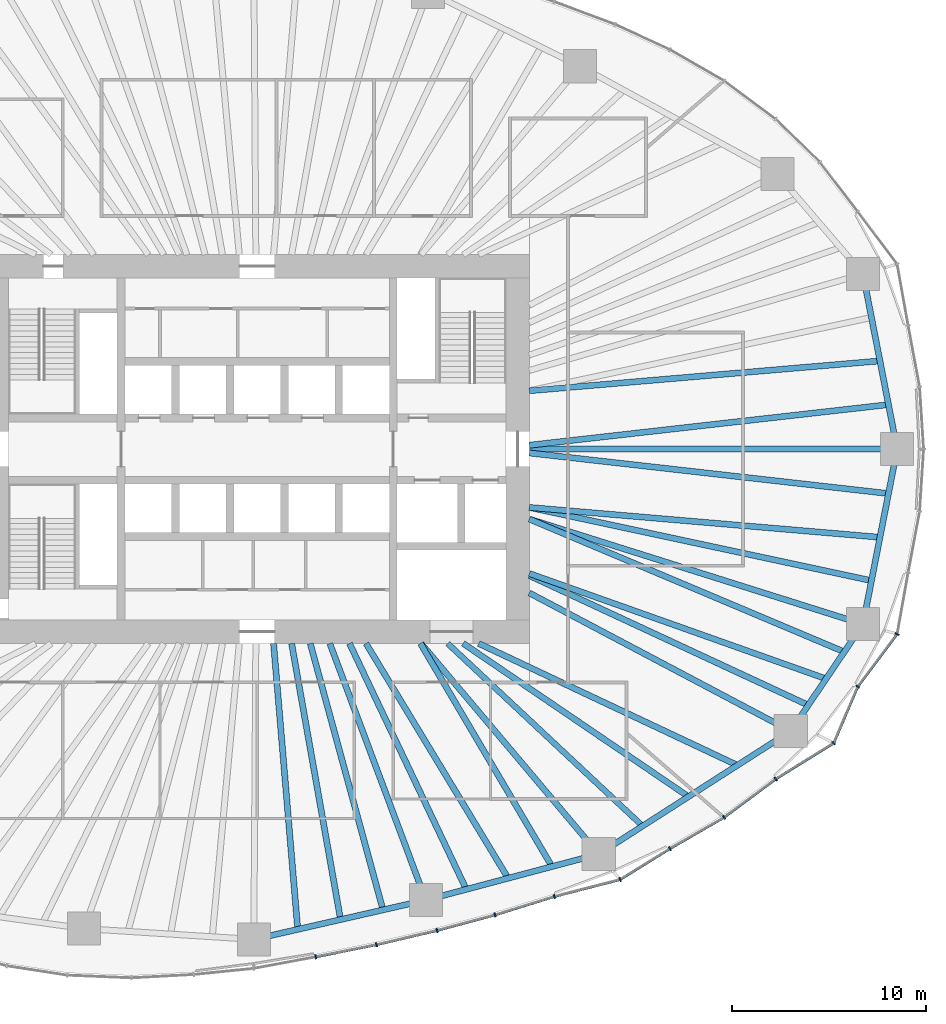
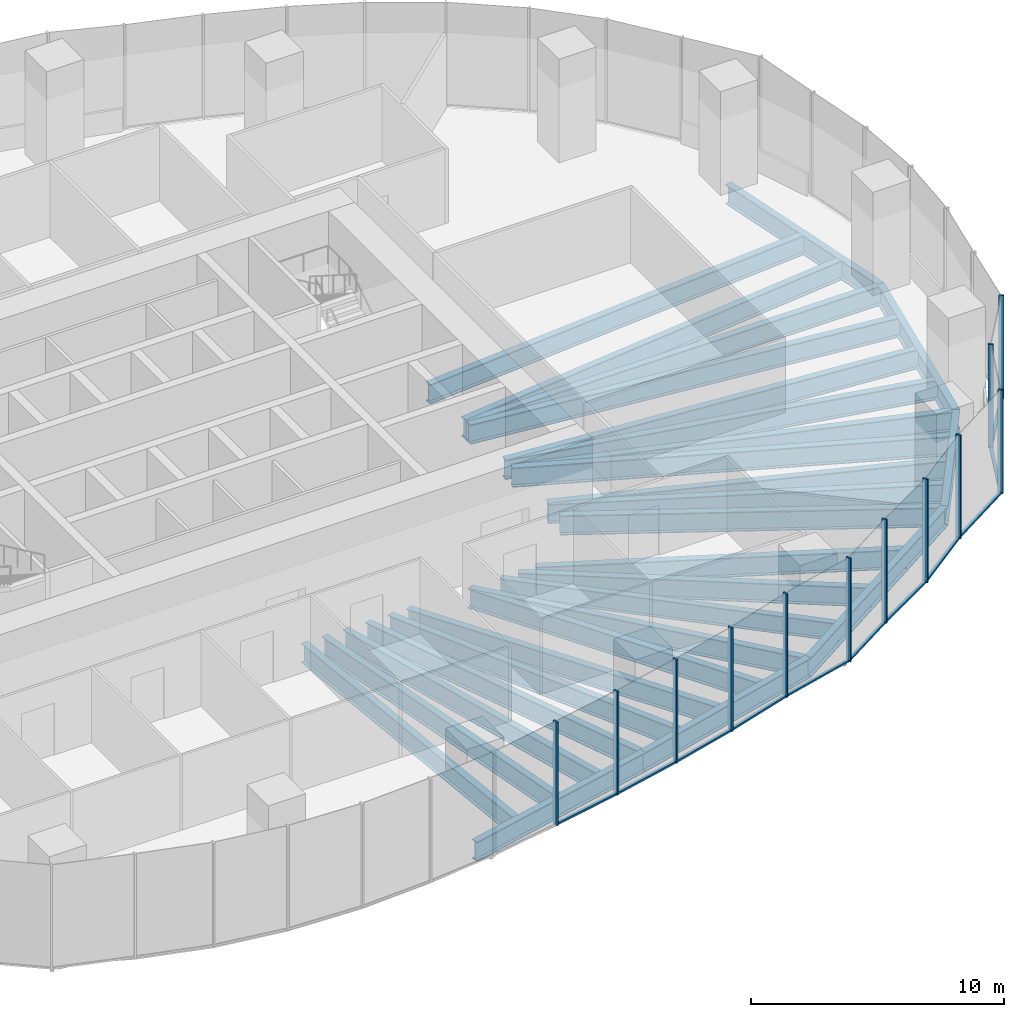
# One storey, part 4 of 20: 28 beams, 23 members, 5 elements without a shape of their own.
"""IFC4 building model written with IfcOpenShell, lengths in metres."""

from ifc_helpers import new_model, si_unit, direction, frame, origin, origin_2d, place, context, subcontext, project, spatial, rectangle, i_section, extrude, material, material_profile, profile_set, type_object, element, aggregate, save


model = new_model("IFC4")

# Units and contexts
model_context = context("Model", 3, precision=1e-05, world=origin(), true_north=direction((0.0, 1.0)))
body_context = subcontext(model_context, "Body", "Model", "MODEL_VIEW")
ifc_project = project(units=[si_unit("LENGTHUNIT", "METRE"), si_unit("AREAUNIT", "SQUARE_METRE"), si_unit("VOLUMEUNIT", "CUBIC_METRE"), si_unit("PLANEANGLEUNIT", "RADIAN"), si_unit("MASSUNIT", "GRAM", prefix="KILO")], contexts=[model_context])

# Site, building, storey
site_placement = place(None, origin())
site = spatial("IfcSite", under=ifc_project, at=site_placement, CompositionType="ELEMENT")
building_placement = place(site_placement, origin())
building = spatial("IfcBuilding", under=site, at=building_placement, Name="Ghaith Harvest Tower", CompositionType="ELEMENT")
storey_placement = place(building_placement, frame((0.0, 0.0, 55.0)))
storey = spatial("IfcBuildingStorey", under=building, at=storey_placement, Name="L11", CompositionType="ELEMENT", Elevation=55.0)

# Curtain wall, members
ifc_material_1 = material(Name="Black anodised aluminium and fritted glass", Category="aluminium")
curtain_wall_type = type_object("IfcCurtainWallType", Name="CW-F CURTAIN WALL", PredefinedType="NOTDEFINED", material=ifc_material_1)
curtain_wall_1_placement = place(storey_placement, origin())
curtain_wall_1 = element("IfcCurtainWall", 1, at=curtain_wall_1_placement, inside=storey, type_object=curtain_wall_type, Name="Curtain wall CW-F bay 16 L11", PredefinedType="NOTDEFINED")
ifc_material_2 = material(Name="Aluminium, black anodised", Category="aluminium")
ifc_material_profile_1 = material_profile(ifc_material_2, rectangle(XDim=0.080078125, YDim=0.219970703125, at=origin_2d()), Name="CW-F MULLION 80x220")
ifc_profile_set_1 = profile_set([ifc_material_profile_1], Name="Aluminium, black anodised")
member_type_1 = type_object("IfcMemberType", Name="CW-F MULLION 80x220", PredefinedType="MULLION", material=ifc_profile_set_1)
member_1_placement = place(storey_placement, frame((3.00927734375, -26.123291015625, 0.0), z_axis=(0.0, 0.0, 1.0), x_axis=(0.981818445714, 0.189822389762, 0.0)))
member_1 = element("IfcMember", 2, at=member_1_placement, type_object=member_type_1, Name="CW-F mullion 2 bay 16 L11", PredefinedType="MULLION", context=body_context, shape_type="SweptSolid", body=[
    extrude(rectangle(XDim=0.080078125, YDim=0.219970703125, at=origin_2d()), origin(), (0.0, 0.0, 1.0), 5.0),
])
member_2_placement = place(storey_placement, frame((6.136962890625, -25.495361328125, 0.0), z_axis=(0.0, 0.0, 1.0), x_axis=(0.977117973572, 0.212698062336, 0.0)))
member_2 = element("IfcMember", 3, at=member_2_placement, type_object=member_type_1, Name="CW-F mullion 3 bay 16 L11", PredefinedType="MULLION", context=body_context, shape_type="SweptSolid", body=[
    extrude(rectangle(XDim=0.080078125, YDim=0.219970703125, at=origin_2d()), origin(), (0.0, 0.0, 1.0), 5.0),
])

curtain_wall_2_placement = place(storey_placement, origin())
curtain_wall_2 = element("IfcCurtainWall", 4, at=curtain_wall_2_placement, inside=storey, type_object=curtain_wall_type, Name="Curtain wall CW-F bay 17 L11", PredefinedType="NOTDEFINED")
member_3_placement = place(storey_placement, frame((9.25732421875, -24.76318359375, 0.0), z_axis=(0.0, 0.0, 1.0), x_axis=(0.969903429248, 0.24348991341, 0.0)))
member_3 = element("IfcMember", 5, at=member_3_placement, type_object=member_type_1, Name="CW-F mullion 1 bay 17 L11", PredefinedType="MULLION", context=body_context, shape_type="SweptSolid", body=[
    extrude(rectangle(XDim=0.080078125, YDim=0.219970703125, at=origin_2d()), origin(), (0.0, 0.0, 1.0), 5.0),
])
member_4_placement = place(storey_placement, frame((12.234375, -23.964599609375, 0.0), z_axis=(0.0, 0.0, 1.0), x_axis=(0.960502189734, 0.278272426799, 0.0)))
member_4 = element("IfcMember", 6, at=member_4_placement, type_object=member_type_1, Name="CW-F mullion 2 bay 17 L11", PredefinedType="MULLION", context=body_context, shape_type="SweptSolid", body=[
    extrude(rectangle(XDim=0.080078125, YDim=0.219970703125, at=origin_2d()), origin(), (0.0, 0.0, 1.0), 5.0),
])
member_5_placement = place(storey_placement, frame((15.28759765625, -23.01611328125, 0.0), z_axis=(0.0, 0.0, 1.0), x_axis=(0.962313144018, 0.27194376781, 0.0)))
member_5 = element("IfcMember", 7, at=member_5_placement, type_object=member_type_1, Name="CW-F mullion 3 bay 17 L11", PredefinedType="MULLION", context=body_context, shape_type="SweptSolid", body=[
    extrude(rectangle(XDim=0.080078125, YDim=0.219970703125, at=origin_2d()), origin(), (0.0, 0.0, 1.0), 5.0),
])

curtain_wall_3_placement = place(storey_placement, origin())
curtain_wall_3 = element("IfcCurtainWall", 8, at=curtain_wall_3_placement, inside=storey, type_object=curtain_wall_type, Name="Curtain wall CW-F bay 18 L11", PredefinedType="NOTDEFINED")
member_6_placement = place(storey_placement, frame((18.674072265625, -22.144775390625, 0.0), z_axis=(0.0, 0.0, 1.0), x_axis=(0.923910199299, 0.382609387799, 0.0)))
member_6 = element("IfcMember", 9, at=member_6_placement, type_object=member_type_1, Name="CW-F mullion 1 bay 18 L11", PredefinedType="MULLION", context=body_context, shape_type="SweptSolid", body=[
    extrude(rectangle(XDim=0.080078125, YDim=0.219970703125, at=origin_2d()), origin(), (0.0, 0.0, 1.0), 5.0),
])
member_7_placement = place(storey_placement, frame((21.2353515625, -20.552978515625, 0.0), z_axis=(0.0, 0.0, 1.0), x_axis=(0.858140414942, 0.513415064293, 0.0)))
member_7 = element("IfcMember", 10, at=member_7_placement, type_object=member_type_1, Name="CW-F mullion 2 bay 18 L11", PredefinedType="MULLION", context=body_context, shape_type="SweptSolid", body=[
    extrude(rectangle(XDim=0.080078125, YDim=0.219970703125, at=origin_2d()), origin(), (0.0, 0.0, 1.0), 5.0),
])
member_8_placement = place(storey_placement, frame((24.018310546875, -18.947265625, 0.0), z_axis=(0.0, 0.0, 1.0), x_axis=(0.835443516838, 0.549576318788, 0.0)))
member_8 = element("IfcMember", 11, at=member_8_placement, type_object=member_type_1, Name="CW-F mullion 3 bay 18 L11", PredefinedType="MULLION", context=body_context, shape_type="SweptSolid", body=[
    extrude(rectangle(XDim=0.080078125, YDim=0.219970703125, at=origin_2d()), origin(), (0.0, 0.0, 1.0), 5.0),
])

curtain_wall_4_placement = place(storey_placement, origin())
curtain_wall_4 = element("IfcCurtainWall", 12, at=curtain_wall_4_placement, inside=storey, type_object=curtain_wall_type, Name="Curtain wall CW-F bay 19 L11", PredefinedType="NOTDEFINED")
member_9_placement = place(storey_placement, frame((26.673828125, -16.9755859375, 0.0), z_axis=(0.0, 0.0, 1.0), x_axis=(0.828002038115, 0.560725088504, 0.0)))
member_9 = element("IfcMember", 13, at=member_9_placement, type_object=member_type_1, Name="CW-F mullion 1 bay 19 L11", PredefinedType="MULLION", context=body_context, shape_type="SweptSolid", body=[
    extrude(rectangle(XDim=0.080078125, YDim=0.219970703125, at=origin_2d()), origin(), (0.0, 0.0, 1.0), 5.0),
])
member_10_placement = place(storey_placement, frame((29.659912109375, -15.126953125, 0.0), z_axis=(0.0, 0.0, 1.0), x_axis=(0.663604797505, 0.748083332743, 0.0)))
member_10 = element("IfcMember", 14, at=member_10_placement, type_object=member_type_1, Name="CW-F mullion 2 bay 19 L11", PredefinedType="MULLION", context=body_context, shape_type="SweptSolid", body=[
    extrude(rectangle(XDim=0.080078125, YDim=0.219970703125, at=origin_2d()), origin(), (0.0, 0.0, 1.0), 5.0),
])
member_11_placement = place(storey_placement, frame((30.896728515625, -12.215087890625, 0.0), z_axis=(0.0, 0.0, 1.0), x_axis=(0.5027946428, 0.864405892606, 0.0)))
member_11 = element("IfcMember", 15, at=member_11_placement, type_object=member_type_1, Name="CW-F mullion 3 bay 19 L11", PredefinedType="MULLION", context=body_context, shape_type="SweptSolid", body=[
    extrude(rectangle(XDim=0.080078125, YDim=0.219970703125, at=origin_2d()), origin(), (0.0, 0.0, 1.0), 5.0),
])

# Curtain wall, member
curtain_wall_5_placement = place(storey_placement, origin())
curtain_wall_5 = element("IfcCurtainWall", 16, at=curtain_wall_5_placement, inside=storey, type_object=curtain_wall_type, Name="Curtain wall CW-F bay 20 L11", PredefinedType="NOTDEFINED")
member_12_placement = place(storey_placement, frame((32.923583984375, -9.515625, 0.0), z_axis=(0.0, 0.0, 1.0), x_axis=(0.404701694001, 0.914448762301, 0.0)))
member_12 = element("IfcMember", 17, at=member_12_placement, type_object=member_type_1, Name="CW-F mullion 1 bay 20 L11", PredefinedType="MULLION", context=body_context, shape_type="SweptSolid", body=[
    extrude(rectangle(XDim=0.080078125, YDim=0.219970703125, at=origin_2d()), origin(), (0.0, 0.0, 1.0), 5.0),
])
aggregate(curtain_wall_5, [member_12])

# Member
ifc_material_3 = material(Name="Aluminium, black anodised", Category="aluminium")
ifc_material_profile_2 = material_profile(ifc_material_3, rectangle(XDim=0.139892578125, YDim=0.080078125, at=origin_2d()), Name="CW-F TRANSOM 140x80")
ifc_profile_set_2 = profile_set([ifc_material_profile_2], Name="Aluminium, black anodised")
member_type_2 = type_object("IfcMemberType", Name="CW-F TRANSOM 140x80", PredefinedType="USERDEFINED", material=ifc_profile_set_2)
member_13_placement = place(storey_placement, frame((3.04833984375, -26.115478515625, 0.0400390625), z_axis=(0.980432471193, 0.196855707129, 0.0), x_axis=(-0.196855707129, 0.980432471193, 0.0)))
member_13 = element("IfcMember", 18, at=member_13_placement, type_object=member_type_2, Name="CW-F transom 2 bay 16 L11", ObjectType="TRANSOM", PredefinedType="USERDEFINED", context=body_context, shape_type="SweptSolid", body=[
    extrude(rectangle(XDim=0.139892578125, YDim=0.080078125, at=origin_2d()), origin(), (0.0, 0.0, 1.0), 3.1103515625),
])

member_14_placement = place(storey_placement, frame((6.176025390625, -25.486083984375, 0.0400390625), z_axis=(0.973560415159, 0.228429678537, 0.0), x_axis=(-0.228429678537, 0.973560415159, 0.0)))
member_14 = element("IfcMember", 19, at=member_14_placement, type_object=member_type_2, Name="CW-F transom 3 bay 16 L11", ObjectType="TRANSOM", PredefinedType="USERDEFINED", context=body_context, shape_type="SweptSolid", body=[
    extrude(rectangle(XDim=0.139892578125, YDim=0.080078125, at=origin_2d()), origin(), (0.0, 0.0, 1.0), 3.125),
])

aggregate(curtain_wall_1, [member_1, member_13, member_2, member_14])

member_15_placement = place(storey_placement, frame((9.2958984375, -24.7529296875, 0.0400390625), z_axis=(0.965832908495, 0.259165570377, 0.0), x_axis=(-0.259165570377, 0.965832908495, 0.0)))
member_15 = element("IfcMember", 20, at=member_15_placement, type_object=member_type_2, Name="CW-F transom 1 bay 17 L11", ObjectType="TRANSOM", PredefinedType="USERDEFINED", context=body_context, shape_type="SweptSolid", body=[
    extrude(rectangle(XDim=0.139892578125, YDim=0.080078125, at=origin_2d()), origin(), (0.0, 0.0, 1.0), 3.002197265625),
])

member_16_placement = place(storey_placement, frame((12.2724609375, -23.95263671875, 0.0400390625), z_axis=(0.954998362353, 0.296611071781, 0.0), x_axis=(-0.296611071781, 0.954998362353, 0.0)))
member_16 = element("IfcMember", 21, at=member_16_placement, type_object=member_type_2, Name="CW-F transom 2 bay 17 L11", ObjectType="TRANSOM", PredefinedType="USERDEFINED", context=body_context, shape_type="SweptSolid", body=[
    extrude(rectangle(XDim=0.139892578125, YDim=0.080078125, at=origin_2d()), origin(), (0.0, 0.0, 1.0), 3.1171875),
])

member_17_placement = place(storey_placement, frame((15.326171875, -23.006103515625, 0.0400390625), z_axis=(0.968463874592, 0.249154015841, 0.0), x_axis=(-0.249154015841, 0.968463874592, 0.0)))
member_17 = element("IfcMember", 22, at=member_17_placement, type_object=member_type_2, Name="CW-F transom 3 bay 17 L11", ObjectType="TRANSOM", PredefinedType="USERDEFINED", context=body_context, shape_type="SweptSolid", body=[
    extrude(rectangle(XDim=0.139892578125, YDim=0.080078125, at=origin_2d()), origin(), (0.0, 0.0, 1.0), 3.416748046875),
])

aggregate(curtain_wall_2, [member_3, member_15, member_4, member_16, member_5, member_17])

member_18_placement = place(storey_placement, frame((18.7080078125, -22.12353515625, 0.0400390625), z_axis=(0.849383069026, 0.527776848726, 0.0), x_axis=(-0.527776848726, 0.849383069026, 0.0)))
member_18 = element("IfcMember", 23, at=member_18_placement, type_object=member_type_2, Name="CW-F transom 1 bay 18 L11", ObjectType="TRANSOM", PredefinedType="USERDEFINED", context=body_context, shape_type="SweptSolid", body=[
    extrude(rectangle(XDim=0.139892578125, YDim=0.080078125, at=origin_2d()), origin(), (0.0, 0.0, 1.0), 2.935546875),
])

member_19_placement = place(storey_placement, frame((21.27001953125, -20.532958984375, 0.0400390625), z_axis=(0.866168719914, 0.499751686983, 0.0), x_axis=(-0.499751686983, 0.866168719914, 0.0)))
member_19 = element("IfcMember", 24, at=member_19_placement, type_object=member_type_2, Name="CW-F transom 2 bay 18 L11", ObjectType="TRANSOM", PredefinedType="USERDEFINED", context=body_context, shape_type="SweptSolid", body=[
    extrude(rectangle(XDim=0.139892578125, YDim=0.080078125, at=origin_2d()), origin(), (0.0, 0.0, 1.0), 3.1328125),
])

member_20_placement = place(storey_placement, frame((24.050537109375, -18.92333984375, 0.0400390625), z_axis=(0.802877287823, 0.596144328748, 0.0), x_axis=(-0.596144328748, 0.802877287823, 0.0)))
member_20 = element("IfcMember", 25, at=member_20_placement, type_object=member_type_2, Name="CW-F transom 3 bay 18 L11", ObjectType="TRANSOM", PredefinedType="USERDEFINED", context=body_context, shape_type="SweptSolid", body=[
    extrude(rectangle(XDim=0.139892578125, YDim=0.080078125, at=origin_2d()), origin(), (0.0, 0.0, 1.0), 3.2275390625),
])

aggregate(curtain_wall_3, [member_6, member_18, member_7, member_19, member_8, member_20])

member_21_placement = place(storey_placement, frame((26.707763671875, -16.954345703125, 0.0400390625), z_axis=(0.850260598386, 0.526361961802, 0.0), x_axis=(-0.526361961802, 0.850260598386, 0.0)))
member_21 = element("IfcMember", 26, at=member_21_placement, type_object=member_type_2, Name="CW-F transom 1 bay 19 L11", ObjectType="TRANSOM", PredefinedType="USERDEFINED", context=body_context, shape_type="SweptSolid", body=[
    extrude(rectangle(XDim=0.139892578125, YDim=0.080078125, at=origin_2d()), origin(), (0.0, 0.0, 1.0), 3.431884765625),
])

member_22_placement = place(storey_placement, frame((29.675537109375, -15.090087890625, 0.0400390625), z_axis=(0.390936107494, 0.92041781809, 0.0), x_axis=(-0.92041781809, 0.390936107494, 0.0)))
member_22 = element("IfcMember", 27, at=member_22_placement, type_object=member_type_2, Name="CW-F transom 2 bay 19 L11", ObjectType="TRANSOM", PredefinedType="USERDEFINED", context=body_context, shape_type="SweptSolid", body=[
    extrude(rectangle(XDim=0.139892578125, YDim=0.080078125, at=origin_2d()), origin(), (0.0, 0.0, 1.0), 3.083740234375),
])

member_23_placement = place(storey_placement, frame((30.920654296875, -12.18310546875, 0.0400390625), z_axis=(0.600462135687, 0.799653189581, 0.0), x_axis=(-0.799653189581, 0.600462135687, 0.0)))
member_23 = element("IfcMember", 28, at=member_23_placement, type_object=member_type_2, Name="CW-F transom 3 bay 19 L11", ObjectType="TRANSOM", PredefinedType="USERDEFINED", context=body_context, shape_type="SweptSolid", body=[
    extrude(rectangle(XDim=0.139892578125, YDim=0.080078125, at=origin_2d()), origin(), (0.0, 0.0, 1.0), 3.2958984375),
])

aggregate(curtain_wall_4, [member_9, member_21, member_10, member_22, member_11, member_23])

# Beams
ifc_material_4 = material(Name="Steel ASTM A992 Grade 50", Category="steel")
ifc_material_profile_3 = material_profile(ifc_material_4, i_section(OverallWidth=0.306884765625, OverallDepth=0.94189453125, WebThickness=0.022216796875, FlangeThickness=0.039794921875, at=origin_2d()), Name="W920X345")
ifc_profile_set_3 = profile_set([ifc_material_profile_3], Name="Steel ASTM A992 Grade 50")
beam_type_1 = type_object("IfcBeamType", Name="E920-345 W920X345", PredefinedType="SPANDREL", material=ifc_profile_set_3)
beam_1_placement = place(storey_placement, frame((32.925048828125, 0.0, -0.6708984375), z_axis=(-0.191653479461, 0.981462655332, 0.0), x_axis=(-0.981462655332, -0.191653479461, 0.0)))
element("IfcBeam", 29, at=beam_1_placement, inside=storey, type_object=beam_type_1, Name="Edge beam E01 L11", PredefinedType="SPANDREL", context=body_context, shape_type="SweptSolid", body=[
    extrude(i_section(OverallWidth=0.306884765625, OverallDepth=0.94189453125, WebThickness=0.022216796875, FlangeThickness=0.039794921875, at=origin_2d()), origin(), (0.0, 0.0, 1.0), 9.17822265625),
])
beam_2_placement = place(storey_placement, frame((-0.173095703125, -25.22412109375, -0.6708984375), z_axis=(0.974881709383, 0.22272326486, 0.0), x_axis=(-0.22272326486, 0.974881709383, 0.0)))
element("IfcBeam", 30, at=beam_2_placement, inside=storey, type_object=beam_type_1, Name="Edge beam E16 L11", PredefinedType="SPANDREL", context=body_context, shape_type="SweptSolid", body=[
    extrude(i_section(OverallWidth=0.306884765625, OverallDepth=0.94189453125, WebThickness=0.022216796875, FlangeThickness=0.039794921875, at=origin_2d()), origin(), (0.0, 0.0, 1.0), 9.0751953125),
])
beam_3_placement = place(storey_placement, frame((8.674072265625, -23.202880859375, -0.6708984375), z_axis=(0.966419097109, 0.256971065963, 0.0), x_axis=(-0.256971065963, 0.966419097109, 0.0)))
element("IfcBeam", 31, at=beam_3_placement, inside=storey, type_object=beam_type_1, Name="Edge beam E17 L11", PredefinedType="SPANDREL", context=body_context, shape_type="SweptSolid", body=[
    extrude(i_section(OverallWidth=0.306884765625, OverallDepth=0.94189453125, WebThickness=0.022216796875, FlangeThickness=0.039794921875, at=origin_2d()), origin(), (0.0, 0.0, 1.0), 9.20703125),
])
beam_4_placement = place(storey_placement, frame((17.572021484375, -20.8369140625, -0.6708984375), z_axis=(0.842014649705, 0.539454659524, 0.0), x_axis=(-0.539454659524, 0.842014649705, 0.0)))
element("IfcBeam", 32, at=beam_4_placement, inside=storey, type_object=beam_type_1, Name="Edge beam E18 L11", PredefinedType="SPANDREL", context=body_context, shape_type="SweptSolid", body=[
    extrude(i_section(OverallWidth=0.306884765625, OverallDepth=0.94189453125, WebThickness=0.022216796875, FlangeThickness=0.039794921875, at=origin_2d()), origin(), (0.0, 0.0, 1.0), 11.730224609375),
])
beam_5_placement = place(storey_placement, frame((27.448974609375, -14.509033203125, -0.6708984375), z_axis=(0.559874470017, 0.828577442261, 0.0), x_axis=(-0.828577442261, 0.559874470017, 0.0)))
element("IfcBeam", 33, at=beam_5_placement, inside=storey, type_object=beam_type_1, Name="Edge beam E19 L11", PredefinedType="SPANDREL", context=body_context, shape_type="SweptSolid", body=[
    extrude(i_section(OverallWidth=0.306884765625, OverallDepth=0.94189453125, WebThickness=0.022216796875, FlangeThickness=0.039794921875, at=origin_2d()), origin(), (0.0, 0.0, 1.0), 6.63916015625),
])
beam_6_placement = place(storey_placement, frame((31.166015625, -9.008056640625, -0.6708984375), z_axis=(0.191653479461, 0.981462655332, 0.0), x_axis=(-0.981462655332, 0.191653479461, 0.0)))
element("IfcBeam", 34, at=beam_6_placement, inside=storey, type_object=beam_type_1, Name="Edge beam E20 L11", PredefinedType="SPANDREL", context=body_context, shape_type="SweptSolid", body=[
    extrude(i_section(OverallWidth=0.306884765625, OverallDepth=0.94189453125, WebThickness=0.022216796875, FlangeThickness=0.039794921875, at=origin_2d()), origin(), (0.0, 0.0, 1.0), 9.17822265625),
])
ifc_material_5 = material(Name="Steel ASTM A992 Grade 50", Category="steel")
ifc_material_profile_4 = material_profile(ifc_material_5, i_section(OverallWidth=0.306884765625, OverallDepth=0.94189453125, WebThickness=0.022216796875, FlangeThickness=0.039794921875, at=origin_2d()), Name="W920X345")
ifc_profile_set_4 = profile_set([ifc_material_profile_4], Name="Steel ASTM A992 Grade 50")
beam_type_2 = type_object("IfcBeamType", Name="G920-345 W920X345", PredefinedType="BEAM", material=ifc_profile_set_4)
beam_7_placement = place(storey_placement, frame((14.0, 0.0, -0.6708984375), z_axis=(1.0, 0.0, 0.0), x_axis=(0.0, 1.0, 0.0)))
element("IfcBeam", 35, at=beam_7_placement, inside=storey, type_object=beam_type_2, Name="Radial girder G01 L11", PredefinedType="BEAM", context=body_context, shape_type="SweptSolid", body=[
    extrude(i_section(OverallWidth=0.306884765625, OverallDepth=0.94189453125, WebThickness=0.022216796875, FlangeThickness=0.039794921875, at=origin_2d()), origin(), (0.0, 0.0, 1.0), 18.925048828125),
])
beam_8_placement = place(storey_placement, frame((3.73828125, -10.0, -0.6708984375), z_axis=(0.350172283717, -0.936685310932, 0.0), x_axis=(0.936685310932, 0.350172283717, 0.0)))
element("IfcBeam", 36, at=beam_8_placement, inside=storey, type_object=beam_type_2, Name="Radial girder G17 L11", PredefinedType="BEAM", context=body_context, shape_type="SweptSolid", body=[
    extrude(i_section(OverallWidth=0.306884765625, OverallDepth=0.94189453125, WebThickness=0.022216796875, FlangeThickness=0.039794921875, at=origin_2d()), origin(), (0.0, 0.0, 1.0), 14.09521484375),
])
beam_9_placement = place(storey_placement, frame((8.4326171875, -10.0, -0.6708984375), z_axis=(0.644696130938, -0.764438943771, 0.0), x_axis=(0.764438943771, 0.644696130938, 0.0)))
element("IfcBeam", 37, at=beam_9_placement, inside=storey, type_object=beam_type_2, Name="Radial girder G18 L11", PredefinedType="BEAM", context=body_context, shape_type="SweptSolid", body=[
    extrude(i_section(OverallWidth=0.306884765625, OverallDepth=0.94189453125, WebThickness=0.022216796875, FlangeThickness=0.039794921875, at=origin_2d()), origin(), (0.0, 0.0, 1.0), 14.17626953125),
])
beam_10_placement = place(storey_placement, frame((14.0, -7.39990234375, -0.6708984375), z_axis=(0.884084425997, -0.467327216959, 0.0), x_axis=(0.467327216959, 0.884084425997, 0.0)))
element("IfcBeam", 38, at=beam_10_placement, inside=storey, type_object=beam_type_2, Name="Radial girder G19 L11", PredefinedType="BEAM", context=body_context, shape_type="SweptSolid", body=[
    extrude(i_section(OverallWidth=0.306884765625, OverallDepth=0.94189453125, WebThickness=0.022216796875, FlangeThickness=0.039794921875, at=origin_2d()), origin(), (0.0, 0.0, 1.0), 15.21240234375),
])
beam_11_placement = place(storey_placement, frame((14.0, -3.60009765625, -0.6708984375), z_axis=(0.953788071692, -0.300480139607, 0.0), x_axis=(0.300480139607, 0.953788071692, 0.0)))
element("IfcBeam", 39, at=beam_11_placement, inside=storey, type_object=beam_type_2, Name="Radial girder G20 L11", PredefinedType="BEAM", context=body_context, shape_type="SweptSolid", body=[
    extrude(i_section(OverallWidth=0.306884765625, OverallDepth=0.94189453125, WebThickness=0.022216796875, FlangeThickness=0.039794921875, at=origin_2d()), origin(), (0.0, 0.0, 1.0), 17.997802734375),
])
ifc_material_6 = material(Name="Steel ASTM A992 Grade 50", Category="steel")
ifc_material_profile_5 = material_profile(ifc_material_6, i_section(OverallWidth=0.2939453125, OverallDepth=0.85107421875, WebThickness=0.01611328125, FlangeThickness=0.02685546875, at=origin_2d()), Name="W840X226")
ifc_profile_set_5 = profile_set([ifc_material_profile_5], Name="Steel ASTM A992 Grade 50")
beam_type_3 = type_object("IfcBeamType", Name="J840-226 W840X226", PredefinedType="JOIST", material=ifc_profile_set_5)
beam_12_placement = place(storey_placement, frame((9.800048828125, -10.0, -0.62548828125), z_axis=(0.72994990542, -0.683500647825, 0.0), x_axis=(0.683500647825, 0.72994990542, 0.0)))
element("IfcBeam", 40, at=beam_12_placement, inside=storey, type_object=beam_type_3, Name="Joist J18.1 L11", PredefinedType="JOIST", context=body_context, shape_type="SweptSolid", body=[
    extrude(i_section(OverallWidth=0.2939453125, OverallDepth=0.85107421875, WebThickness=0.01611328125, FlangeThickness=0.02685546875, at=origin_2d()), origin(), (0.0, 0.0, 1.0), 13.7392578125),
])
ifc_material_7 = material(Name="Steel ASTM A992 Grade 50", Category="steel")
ifc_material_profile_6 = material_profile(ifc_material_7, i_section(OverallWidth=0.31005859375, OverallDepth=0.927001953125, WebThickness=0.019287109375, FlangeThickness=0.031982421875, at=origin_2d()), Name="W920X289")
ifc_profile_set_6 = profile_set([ifc_material_profile_6], Name="Steel ASTM A992 Grade 50")
beam_type_4 = type_object("IfcBeamType", Name="J920-289 W920X289", PredefinedType="JOIST", material=ifc_profile_set_6)
beam_13_placement = place(storey_placement, frame((0.844970703125, -10.0, -0.66357421875), z_axis=(0.084208979751, -0.996448115924, 0.0), x_axis=(0.996448115924, 0.084208979751, 0.0)))
element("IfcBeam", 41, at=beam_13_placement, inside=storey, type_object=beam_type_4, Name="Joist J16.1 L11", PredefinedType="JOIST", context=body_context, shape_type="SweptSolid", body=[
    extrude(i_section(OverallWidth=0.31005859375, OverallDepth=0.927001953125, WebThickness=0.019287109375, FlangeThickness=0.031982421875, at=origin_2d()), origin(), (0.0, 0.0, 1.0), 14.760009765625),
])
beam_14_placement = place(storey_placement, frame((1.772705078125, -10.0, -0.66357421875), z_axis=(0.174552818486, -0.98464781194, 0.0), x_axis=(0.98464781194, 0.174552818486, 0.0)))
element("IfcBeam", 42, at=beam_14_placement, inside=storey, type_object=beam_type_4, Name="Joist J16.2 L11", PredefinedType="JOIST", context=body_context, shape_type="SweptSolid", body=[
    extrude(i_section(OverallWidth=0.31005859375, OverallDepth=0.927001953125, WebThickness=0.019287109375, FlangeThickness=0.031982421875, at=origin_2d()), origin(), (0.0, 0.0, 1.0), 14.42578125),
])
beam_15_placement = place(storey_placement, frame((2.73095703125, -10.0, -0.66357421875), z_axis=(0.263463446032, -0.964669379946, 0.0), x_axis=(0.964669379946, 0.263463446032, 0.0)))
element("IfcBeam", 43, at=beam_15_placement, inside=storey, type_object=beam_type_4, Name="Joist J16.3 L11", PredefinedType="JOIST", context=body_context, shape_type="SweptSolid", body=[
    extrude(i_section(OverallWidth=0.31005859375, OverallDepth=0.927001953125, WebThickness=0.019287109375, FlangeThickness=0.031982421875, at=origin_2d()), origin(), (0.0, 0.0, 1.0), 14.20751953125),
])
beam_16_placement = place(storey_placement, frame((4.75, -10.0, -0.66357421875), z_axis=(0.429067127754, -0.903272605519, 0.0), x_axis=(0.903272605519, 0.429067127754, 0.0)))
element("IfcBeam", 44, at=beam_16_placement, inside=storey, type_object=beam_type_4, Name="Joist J17.1 L11", PredefinedType="JOIST", context=body_context, shape_type="SweptSolid", body=[
    extrude(i_section(OverallWidth=0.31005859375, OverallDepth=0.927001953125, WebThickness=0.019287109375, FlangeThickness=0.031982421875, at=origin_2d()), origin(), (0.0, 0.0, 1.0), 14.003173828125),
])
beam_17_placement = place(storey_placement, frame((5.60009765625, -10.0, -0.66357421875), z_axis=(0.517828660199, -0.855484353262, 0.0), x_axis=(0.855484353262, 0.517828660199, 0.0)))
element("IfcBeam", 45, at=beam_17_placement, inside=storey, type_object=beam_type_4, Name="Joist J17.2 L11", PredefinedType="JOIST", context=body_context, shape_type="SweptSolid", body=[
    extrude(i_section(OverallWidth=0.31005859375, OverallDepth=0.927001953125, WebThickness=0.019287109375, FlangeThickness=0.031982421875, at=origin_2d()), origin(), (0.0, 0.0, 1.0), 14.11669921875),
])
beam_18_placement = place(storey_placement, frame((8.39990234375, -10.0, -0.66357421875), z_axis=(0.507894375661, -0.861419353841, 0.0), x_axis=(0.861419353841, 0.507894375661, 0.0)))
element("IfcBeam", 46, at=beam_18_placement, inside=storey, type_object=beam_type_4, Name="Joist J17.3 L11", PredefinedType="JOIST", context=body_context, shape_type="SweptSolid", body=[
    extrude(i_section(OverallWidth=0.31005859375, OverallDepth=0.927001953125, WebThickness=0.019287109375, FlangeThickness=0.031982421875, at=origin_2d()), origin(), (0.0, 0.0, 1.0), 13.32275390625),
])
beam_19_placement = place(storey_placement, frame((10.60009765625, -10.0, -0.66357421875), z_axis=(0.826982555637, -0.562227580853, 0.0), x_axis=(0.562227580853, 0.826982555637, 0.0)))
element("IfcBeam", 47, at=beam_19_placement, inside=storey, type_object=beam_type_4, Name="Joist J18.2 L11", PredefinedType="JOIST", context=body_context, shape_type="SweptSolid", body=[
    extrude(i_section(OverallWidth=0.31005859375, OverallDepth=0.927001953125, WebThickness=0.019287109375, FlangeThickness=0.031982421875, at=origin_2d()), origin(), (0.0, 0.0, 1.0), 14.013671875),
])
beam_20_placement = place(storey_placement, frame((11.39990234375, -10.0, -0.66357421875), z_axis=(0.904709580205, -0.426028843489, 0.0), x_axis=(0.426028843489, 0.904709580205, 0.0)))
element("IfcBeam", 48, at=beam_20_placement, inside=storey, type_object=beam_type_4, Name="Joist J18.3 L11", PredefinedType="JOIST", context=body_context, shape_type="SweptSolid", body=[
    extrude(i_section(OverallWidth=0.31005859375, OverallDepth=0.927001953125, WebThickness=0.019287109375, FlangeThickness=0.031982421875, at=origin_2d()), origin(), (0.0, 0.0, 1.0), 14.708251953125),
])
beam_21_placement = place(storey_placement, frame((14.0, -6.506103515625, -0.66357421875), z_axis=(0.906865804441, -0.421419521067, 0.0), x_axis=(0.421419521067, 0.906865804441, 0.0)))
element("IfcBeam", 49, at=beam_21_placement, inside=storey, type_object=beam_type_4, Name="Joist J19.1 L11", PredefinedType="JOIST", context=body_context, shape_type="SweptSolid", body=[
    extrude(i_section(OverallWidth=0.31005859375, OverallDepth=0.927001953125, WebThickness=0.019287109375, FlangeThickness=0.031982421875, at=origin_2d()), origin(), (0.0, 0.0, 1.0), 15.824462890625),
])
ifc_material_8 = material(Name="Steel ASTM A992 Grade 50", Category="steel")
ifc_material_profile_7 = material_profile(ifc_material_8, i_section(OverallWidth=0.306884765625, OverallDepth=0.94189453125, WebThickness=0.022216796875, FlangeThickness=0.039794921875, at=origin_2d()), Name="W920X345")
ifc_profile_set_7 = profile_set([ifc_material_profile_7], Name="Steel ASTM A992 Grade 50")
beam_type_5 = type_object("IfcBeamType", Name="J920-345 W920X345", PredefinedType="JOIST", material=ifc_profile_set_7)
beam_22_placement = place(storey_placement, frame((14.0, 0.199951171875, -0.6708984375), z_axis=(0.993675458798, 0.112290171352, 0.0), x_axis=(-0.112290171352, 0.993675458798, 0.0)))
element("IfcBeam", 50, at=beam_22_placement, inside=storey, type_object=beam_type_5, Name="Joist J01.1 L11", PredefinedType="JOIST", context=body_context, shape_type="SweptSolid", body=[
    extrude(i_section(OverallWidth=0.306884765625, OverallDepth=0.94189453125, WebThickness=0.022216796875, FlangeThickness=0.039794921875, at=origin_2d()), origin(), (0.0, 0.0, 1.0), 18.595947265625),
])
beam_23_placement = place(storey_placement, frame((14.0, 3.0, -0.6708984375), z_axis=(0.996389274474, 0.084902377546, 0.0), x_axis=(-0.084902377546, 0.996389274474, 0.0)))
element("IfcBeam", 51, at=beam_23_placement, inside=storey, type_object=beam_type_5, Name="Joist J01.2 L11", PredefinedType="JOIST", context=body_context, shape_type="SweptSolid", body=[
    extrude(i_section(OverallWidth=0.306884765625, OverallDepth=0.94189453125, WebThickness=0.022216796875, FlangeThickness=0.039794921875, at=origin_2d()), origin(), (0.0, 0.0, 1.0), 18.1044921875),
])
beam_24_placement = place(storey_placement, frame((14.0, -6.39990234375, -0.6708984375), z_axis=(0.942399857711, -0.334488427581, 0.0), x_axis=(0.334488427581, 0.942399857711, 0.0)))
element("IfcBeam", 52, at=beam_24_placement, inside=storey, type_object=beam_type_5, Name="Joist J19.2 L11", PredefinedType="JOIST", context=body_context, shape_type="SweptSolid", body=[
    extrude(i_section(OverallWidth=0.306884765625, OverallDepth=0.94189453125, WebThickness=0.022216796875, FlangeThickness=0.039794921875, at=origin_2d()), origin(), (0.0, 0.0, 1.0), 16.199951171875),
])
beam_25_placement = place(storey_placement, frame((14.0, -3.60009765625, -0.6708984375), z_axis=(0.921432978784, -0.388537341333, 0.0), x_axis=(0.388537341333, 0.921432978784, 0.0)))
element("IfcBeam", 53, at=beam_25_placement, inside=storey, type_object=beam_type_5, Name="Joist J19.3 L11", PredefinedType="JOIST", context=body_context, shape_type="SweptSolid", body=[
    extrude(i_section(OverallWidth=0.306884765625, OverallDepth=0.94189453125, WebThickness=0.022216796875, FlangeThickness=0.039794921875, at=origin_2d()), origin(), (0.0, 0.0, 1.0), 17.585205078125),
])
beam_26_placement = place(storey_placement, frame((14.0, -3.0, -0.6708984375), z_axis=(0.977831380626, -0.209393865869, 0.0), x_axis=(0.209393865869, 0.977831380626, 0.0)))
element("IfcBeam", 54, at=beam_26_placement, inside=storey, type_object=beam_type_5, Name="Joist J20.1 L11", PredefinedType="JOIST", context=body_context, shape_type="SweptSolid", body=[
    extrude(i_section(OverallWidth=0.306884765625, OverallDepth=0.94189453125, WebThickness=0.022216796875, FlangeThickness=0.039794921875, at=origin_2d()), origin(), (0.0, 0.0, 1.0), 18.002197265625),
])
beam_27_placement = place(storey_placement, frame((14.0, -3.0, -0.6708984375), z_axis=(0.996389274474, -0.084902377546, 0.0), x_axis=(0.084902377546, 0.996389274474, 0.0)))
element("IfcBeam", 55, at=beam_27_placement, inside=storey, type_object=beam_type_5, Name="Joist J20.2 L11", PredefinedType="JOIST", context=body_context, shape_type="SweptSolid", body=[
    extrude(i_section(OverallWidth=0.306884765625, OverallDepth=0.94189453125, WebThickness=0.022216796875, FlangeThickness=0.039794921875, at=origin_2d()), origin(), (0.0, 0.0, 1.0), 18.1044921875),
])
beam_28_placement = place(storey_placement, frame((14.0, -0.199951171875, -0.6708984375), z_axis=(0.993675458798, -0.112290171352, 0.0), x_axis=(0.112290171352, 0.993675458798, 0.0)))
element("IfcBeam", 56, at=beam_28_placement, inside=storey, type_object=beam_type_5, Name="Joist J20.3 L11", PredefinedType="JOIST", context=body_context, shape_type="SweptSolid", body=[
    extrude(i_section(OverallWidth=0.306884765625, OverallDepth=0.94189453125, WebThickness=0.022216796875, FlangeThickness=0.039794921875, at=origin_2d()), origin(), (0.0, 0.0, 1.0), 18.595947265625),
])

save(model, "model.ifc")
